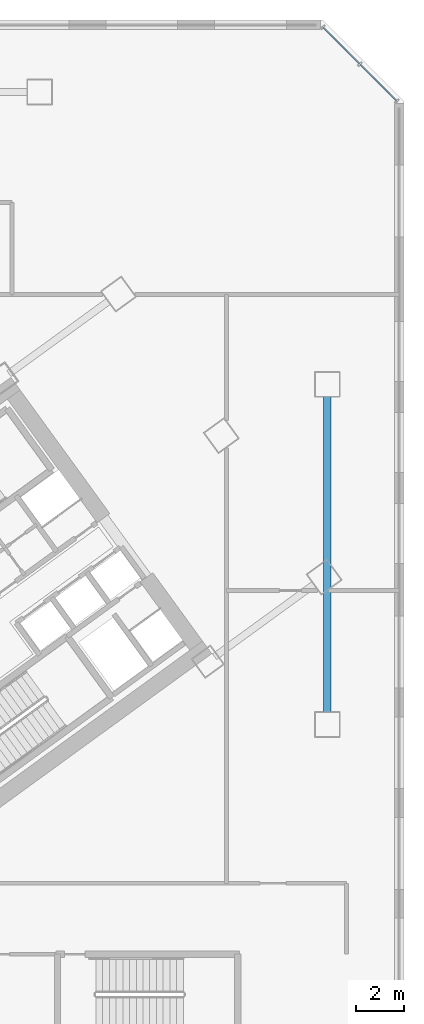
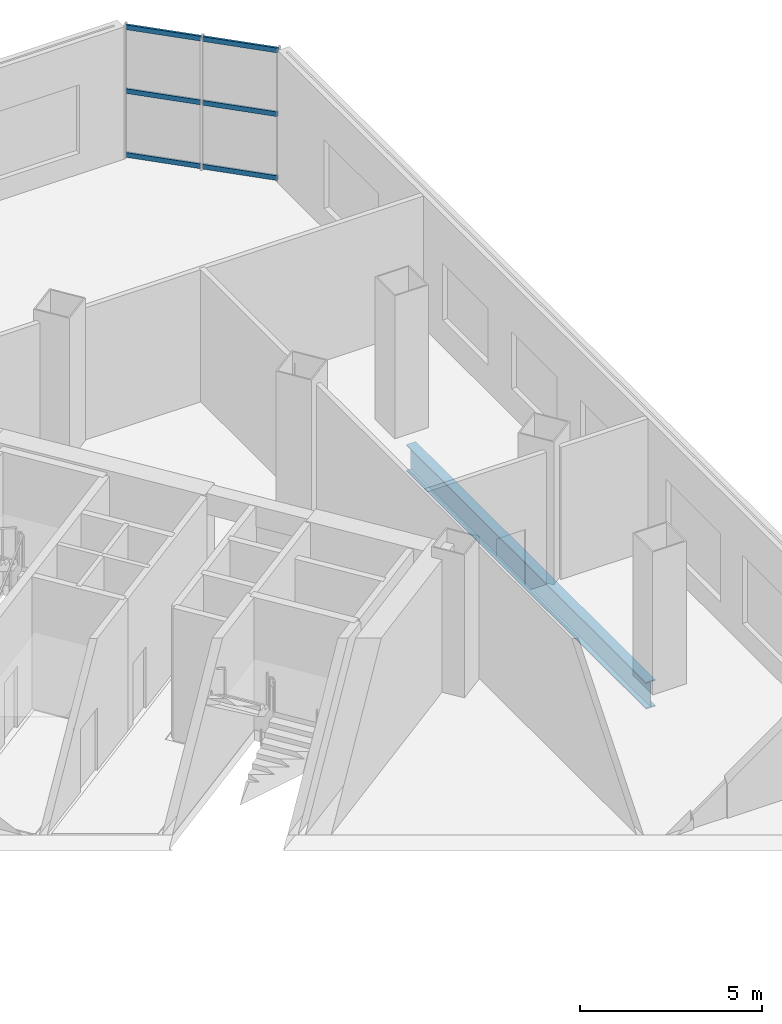
# One storey, part 7 of 22: 6 members, 1 beam, 1 element without a shape of its own.
"""IFC4 building model written with IfcOpenShell, lengths in metres."""

import ifcopenshell
import ifcopenshell.guid

model = None  # the IFC model being written
_history = None  # IfcOwnerHistory: only IFC2X3 demands one
_inside = {}  # id of a spatial element -> (the spatial element, [elements in it])
_under = {}  # id of a project, library or spatial element -> (it, [spatial elements below it])
_declared = {}  # id of a project -> (the project, [libraries it declares])
_typed = {}  # id of a type object -> (the type object, [elements of that type])
_made_of = {}  # id of a material, layer set ... -> (it, [elements and type objects made of it])


def new_model(schema):
    """Start an empty IFC model of exactly this schema.

    Asked for "IFC4X3", IfcOpenShell would pick the latest addendum, in which some entities
    have other attributes; the version numbers below select the first issue.
    IFC2X3 requires an IfcOwnerHistory on every rooted entity: one is made here for all.
    """
    global model, _history
    if schema == "IFC4X3":
        model = ifcopenshell.file(schema_version=(4, 3, 0, 0))
    else:
        model = ifcopenshell.file(schema=schema)
    _inside.clear()
    _under.clear()
    _declared.clear()
    _typed.clear()
    _made_of.clear()
    _history = None
    if model.schema == "IFC2X3":
        org = make("IfcOrganization", Name="unknown")
        user = make(
            "IfcPersonAndOrganization",
            ThePerson=make("IfcPerson", FamilyName="unknown"),
            TheOrganization=org,
        )
        app = make(
            "IfcApplication",
            ApplicationDeveloper=org,
            Version="unknown",
            ApplicationFullName="unknown",
            ApplicationIdentifier="unknown",
        )
        _history = make(
            "IfcOwnerHistory",
            OwningUser=user,
            OwningApplication=app,
            ChangeAction="ADDED",
            CreationDate=0,
        )
    return model


def make(cls, **values):
    """One entity of the class cls with the attributes given. An attribute that is None is left unset."""
    return model.create_entity(
        cls, **{name: value for name, value in values.items() if value is not None}
    )


def rooted(cls, **values):
    """An entity with a GlobalId (a new one), such as an element, a storey or a relation."""
    return make(cls, GlobalId=ifcopenshell.guid.new(), OwnerHistory=_history, **values)


def si_unit(unit_type, name, prefix=None):
    """IfcSIUnit, for example si_unit("LENGTHUNIT", "METRE", prefix="MILLI")."""
    return make("IfcSIUnit", UnitType=unit_type, Prefix=prefix, Name=name)


def assignment(units):
    """IfcUnitAssignment: the units of a project."""
    return None if units is None else make("IfcUnitAssignment", Units=units)


def point(xyz):
    """IfcCartesianPoint."""
    return None if xyz is None else make("IfcCartesianPoint", Coordinates=xyz)


def direction(xyz):
    """IfcDirection."""
    return None if xyz is None else make("IfcDirection", DirectionRatios=xyz)


def frame(location, z_axis=None, x_axis=None):
    """IfcAxis2Placement3D, a coordinate frame: its origin and axes. An axis left out is left unset."""
    return make(
        "IfcAxis2Placement3D",
        Location=point(location),
        Axis=direction(z_axis),
        RefDirection=direction(x_axis),
    )


def frame_2d(location, x_axis=None):
    """IfcAxis2Placement2D, a coordinate frame in the plane: its origin and x axis."""
    return make(
        "IfcAxis2Placement2D", Location=point(location), RefDirection=direction(x_axis)
    )


def origin():
    """The frame at (0, 0, 0) with its axes left unset."""
    return frame((0.0, 0.0, 0.0))


def origin_2d():
    """The frame at (0, 0) in the plane with its x axis left unset."""
    return frame_2d((0.0, 0.0))


def place(relative_to, where):
    """IfcLocalPlacement: puts the frame where relative to a parent placement (None: the world)."""
    return make(
        "IfcLocalPlacement", PlacementRelTo=relative_to, RelativePlacement=where
    )


def context(
    kind, dimensions, precision=None, world=None, true_north=None, identifier=None
):
    """IfcGeometricRepresentationContext, for example the 3D "Model" context."""
    return make(
        "IfcGeometricRepresentationContext",
        ContextIdentifier=identifier,
        ContextType=kind,
        CoordinateSpaceDimension=dimensions,
        Precision=precision,
        WorldCoordinateSystem=world,
        TrueNorth=true_north,
    )


def subcontext(parent, identifier, kind, view, scale=None):
    """IfcGeometricRepresentationSubContext, for example "Body" below "Model"."""
    return make(
        "IfcGeometricRepresentationSubContext",
        ContextIdentifier=identifier,
        ContextType=kind,
        ParentContext=parent,
        TargetScale=scale,
        TargetView=view,
    )


def project(units=None, contexts=None):
    """IfcProject with its units and contexts."""
    return rooted(
        "IfcProject",
        Name="project",
        RepresentationContexts=contexts,
        UnitsInContext=assignment(units),
    )


def spatial(cls, under=None, at=None, **own):
    """A site, building, storey or space (cls), placed at a placement, below another one or the project."""
    s = rooted(cls, ObjectPlacement=at, **own)
    if under is not None:
        _under.setdefault(under.id(), (under, []))[1].append(s)
    return s


def profile(cls, at=None, kind="AREA", **sizes):
    """A parametric profile (cls). Its sizes go by their IFC names, for example OverallWidth=200.0."""
    return make(cls, ProfileType=kind, Position=at, **sizes)


def hollow_rectangle(**sizes):
    """IfcRectangleHollowProfileDef."""
    return profile("IfcRectangleHollowProfileDef", **sizes)


def i_section(**sizes):
    """IfcIShapeProfileDef."""
    return profile("IfcIShapeProfileDef", **sizes)


def extrude(swept, where, along, depth):
    """IfcExtrudedAreaSolid: the profile swept, set in the frame where, extruded along a direction by depth."""
    return make(
        "IfcExtrudedAreaSolid",
        SweptArea=swept,
        Position=where,
        ExtrudedDirection=direction(along),
        Depth=depth,
    )


def shape(context_of_items, identifier, shape_type, items):
    """IfcShapeRepresentation: the items that make up one representation, for example the "Body"."""
    return make(
        "IfcShapeRepresentation",
        ContextOfItems=context_of_items,
        RepresentationIdentifier=identifier,
        RepresentationType=shape_type,
        Items=items,
    )


def source(mapping_origin, context_of_items, identifier, shape_type, items):
    """IfcRepresentationMap: a shape defined once, which mapped items show again and again."""
    return make(
        "IfcRepresentationMap",
        MappingOrigin=mapping_origin,
        MappedRepresentation=shape(context_of_items, identifier, shape_type, items),
    )


def transform(
    local_origin,
    x_axis=None,
    y_axis=None,
    z_axis=None,
    scale=None,
    scale2=None,
    scale3=None,
    uniform=True,
):
    """IfcCartesianTransformationOperator3D, or its non-uniform kind. x_axis, y_axis, z_axis: its Axis1, 2, 3."""
    if uniform:
        return make(
            "IfcCartesianTransformationOperator3D",
            Axis1=direction(x_axis),
            Axis2=direction(y_axis),
            LocalOrigin=point(local_origin),
            Scale=scale,
            Axis3=direction(z_axis),
        )
    return make(
        "IfcCartesianTransformationOperator3DnonUniform",
        Axis1=direction(x_axis),
        Axis2=direction(y_axis),
        LocalOrigin=point(local_origin),
        Scale=scale,
        Axis3=direction(z_axis),
        Scale2=scale2,
        Scale3=scale3,
    )


def mapped(mapping_source, mapping_target):
    """IfcMappedItem: shows the shape of a source again, moved by a transform."""
    return make(
        "IfcMappedItem", MappingSource=mapping_source, MappingTarget=mapping_target
    )


def material(Name=None, Category=None):
    """IfcMaterial."""
    return make("IfcMaterial", Name=Name, Category=Category)


def material_profile(
    of_material, cross_section, Name=None, Category=None, Priority=None
):
    """IfcMaterialProfile: a cross section and its material."""
    return make(
        "IfcMaterialProfile",
        Name=Name,
        Material=of_material,
        Profile=cross_section,
        Priority=Priority,
        Category=Category,
    )


def profile_set(profiles, Name=None, composite=None):
    """IfcMaterialProfileSet."""
    return make(
        "IfcMaterialProfileSet",
        Name=Name,
        MaterialProfiles=profiles,
        CompositeProfile=composite,
    )


def made_of(thing, what):
    """Note that an element or type object is made of a material, layer set ...; save() writes the relation."""
    if what is not None:
        _made_of.setdefault(what.id(), (what, []))[1].append(thing)
    return thing


def type_object(cls, material=None, **own):
    """A type object (cls), such as IfcWallType, which elements share."""
    return made_of(rooted(cls, **own), material)


def element(
    cls,
    number,
    at=None,
    inside=None,
    cuts=None,
    type_object=None,
    material=None,
    context=None,
    identifier="Body",
    shape_type=None,
    held_by="IfcProductDefinitionShape",
    body=None,
    shapes=None,
    **own,
):
    """One element of the class cls, such as IfcWall. Its Tag is "e" and its number.

    at: its placement. inside: the storey or other place that contains it. cuts: it is an
    opening in that element (IfcRelVoidsElement). A single representation is given by context,
    identifier, shape_type and body (its items); several are given by shapes. held_by: the class
    of the entity that holds the representations. save() writes the other relations.
    """
    e = rooted(cls, Tag="e%d" % number, ObjectPlacement=at, **own)
    if body is not None:
        shapes = [shape(context, identifier, shape_type, body)]
    if shapes is not None:
        e.Representation = make(held_by, Representations=shapes)
    if inside is not None:
        _inside.setdefault(inside.id(), (inside, []))[1].append(e)
    if cuts is not None:
        rooted(
            "IfcRelVoidsElement", RelatingBuildingElement=cuts, RelatedOpeningElement=e
        )
    if type_object is not None:
        _typed.setdefault(type_object.id(), (type_object, []))[1].append(e)
    return made_of(e, material)


def aggregate(whole, parts):
    """IfcRelAggregates: a whole, such as a stair, and the parts it consists of."""
    return rooted("IfcRelAggregates", RelatingObject=whole, RelatedObjects=parts)


def save(model, path):
    """Write the relations noted so far, then the file.

    IfcRelAggregates (storeys below a building ...), IfcRelContainedInSpatialStructure (elements
    in a storey), IfcRelDefinesByType, IfcRelAssociatesMaterial and IfcRelDeclares: one each for
    every whole, place, type object, material and project.
    """
    for whole, parts in _under.values():
        aggregate(whole, parts)
    for where, things in _inside.values():
        rooted(
            "IfcRelContainedInSpatialStructure",
            RelatedElements=things,
            RelatingStructure=where,
        )
    for kind, things in _typed.values():
        rooted("IfcRelDefinesByType", RelatedObjects=things, RelatingType=kind)
    for what, things in _made_of.values():
        rooted("IfcRelAssociatesMaterial", RelatedObjects=things, RelatingMaterial=what)
    for by, libraries in _declared.values():
        rooted("IfcRelDeclares", RelatingContext=by, RelatedDefinitions=libraries)
    model.write(path)


model = new_model("IFC4")

# Units and contexts
model_context = context("Model", 3, precision=1e-05, world=origin(), true_north=direction((0.0, 1.0)))
body_context = subcontext(model_context, "Body", "Model", "MODEL_VIEW")
ifc_project = project(units=[si_unit("LENGTHUNIT", "METRE"), si_unit("AREAUNIT", "SQUARE_METRE"), si_unit("VOLUMEUNIT", "CUBIC_METRE"), si_unit("PLANEANGLEUNIT", "RADIAN"), si_unit("MASSUNIT", "GRAM", prefix="KILO")], contexts=[model_context])

# Site, building, storey
site_placement = place(None, origin())
site = spatial("IfcSite", under=ifc_project, at=site_placement, CompositionType="ELEMENT")
building_placement = place(site_placement, origin())
building = spatial("IfcBuilding", under=site, at=building_placement, Name="Tlacorven Tower", CompositionType="ELEMENT")
storey_placement = place(building_placement, frame((0.0, 0.0, 5.39990234375)))
storey = spatial("IfcBuildingStorey", under=building, at=storey_placement, Name="L01", CompositionType="ELEMENT", Elevation=5.39990234375)

# Beam
ifc_material_1 = material(Name="Steel S460M", Category="steel")
ifc_material_profile_1 = material_profile(ifc_material_1, i_section(OverallWidth=0.300048828125, OverallDepth=0.89990234375, WebThickness=0.0185546875, FlangeThickness=0.034912109375, at=origin_2d()), Name="HEB 900")
ifc_profile_set_1 = profile_set([ifc_material_profile_1], Name="Steel S460M")
beam_type = type_object("IfcBeamType", Name="BM-POD-900", PredefinedType="BEAM", material=ifc_profile_set_1)
shared_shape_1 = source(origin(), body_context, "Body", "SweptSolid", [
    extrude(i_section(OverallWidth=0.300048828125, OverallDepth=0.89990234375, WebThickness=0.0185546875, FlangeThickness=0.034912109375, at=origin_2d()), origin(), (0.0, 0.0, 1.0), 13.199951171875),
])
beam_placement = place(storey_placement, frame((67.39990234375, 17.699951171875, -0.7998046875), z_axis=(0.0, 1.0, 0.0), x_axis=(-1.0, 0.0, 0.0)))
element("IfcBeam", 1, at=beam_placement, inside=storey, type_object=beam_type, Name="L01 beam BM-L01-GY6-1", PredefinedType="BEAM", context=body_context, shape_type="MappedRepresentation", body=[
    mapped(shared_shape_1, transform((0.0, 0.0, 0.0), scale=1.0)),
])

# Curtain wall, members
ifc_material_2 = material(Name="Dark solar low-E double glazing in aluminium frame", Category="aluminium")
curtain_wall_type = type_object("IfcCurtainWallType", Name="CW-STN-CONCOURSE", PredefinedType="USERDEFINED", material=ifc_material_2)
curtain_wall_placement = place(storey_placement, origin())
curtain_wall = element("IfcCurtainWall", 2, at=curtain_wall_placement, inside=storey, type_object=curtain_wall_type, Name="L01 Podium Chamfer Curtain Wall 5", ObjectType="UNITISED CURTAIN WALL", PredefinedType="USERDEFINED")
ifc_material_3 = material(Name="Aluminium 6063-T6 anodised", Category="aluminium")
ifc_material_profile_2 = material_profile(ifc_material_3, hollow_rectangle(XDim=0.06494140625, YDim=0.159912109375, WallThickness=0.00390625, at=origin_2d()), Name="ALU TRANSOM 65X160")
ifc_profile_set_2 = profile_set([ifc_material_profile_2], Name="Aluminium 6063-T6 anodised")
member_type = type_object("IfcMemberType", Name="CWT-01", PredefinedType="USERDEFINED", material=ifc_profile_set_2)
shared_shape_2 = source(origin(), body_context, "Body", "SweptSolid", [
    extrude(hollow_rectangle(XDim=0.06494140625, YDim=0.159912109375, WallThickness=0.00390625, at=origin_2d()), origin(), (0.0, 0.0, 1.0), 2.140380859375),
])
member_1_placement = place(storey_placement, frame((67.228759765625, 46.288330078125, 0.080078125), z_axis=(0.707163808226, -0.707049749547, 0.0), x_axis=(0.707049749547, 0.707163808226, 0.0)))
member_1 = element("IfcMember", 3, at=member_1_placement, type_object=member_type, Name="CW-L01-007 Transom 1", ObjectType="TRANSOM", PredefinedType="USERDEFINED", context=body_context, shape_type="MappedRepresentation", body=[
    mapped(shared_shape_2, transform((0.0, 0.0, 0.0), scale=1.0)),
])
member_2_placement = place(storey_placement, frame((67.228759765625, 46.288330078125, 2.22509765625), z_axis=(0.707163808226, -0.707049749547, 0.0), x_axis=(0.707049749547, 0.707163808226, 0.0)))
member_2 = element("IfcMember", 4, at=member_2_placement, type_object=member_type, Name="CW-L01-007 Transom 2", ObjectType="TRANSOM", PredefinedType="USERDEFINED", context=body_context, shape_type="MappedRepresentation", body=[
    mapped(shared_shape_2, transform((0.0, 0.0, 0.0), scale=1.0)),
])
member_3_placement = place(storey_placement, frame((67.228759765625, 46.288330078125, 4.3701171875), z_axis=(0.707163808226, -0.707049749547, 0.0), x_axis=(0.707049749547, 0.707163808226, 0.0)))
member_3 = element("IfcMember", 5, at=member_3_placement, type_object=member_type, Name="CW-L01-007 Transom 3", ObjectType="TRANSOM", PredefinedType="USERDEFINED", context=body_context, shape_type="MappedRepresentation", body=[
    mapped(shared_shape_2, transform((0.0, 0.0, 0.0), scale=1.0)),
])
member_4_placement = place(storey_placement, frame((68.77490234375, 44.742431640625, 0.080078125), z_axis=(0.707049749547, -0.707163808226, 0.0), x_axis=(0.707163808226, 0.707049749547, 0.0)))
member_4 = element("IfcMember", 6, at=member_4_placement, type_object=member_type, Name="CW-L01-007 Transom 4", ObjectType="TRANSOM", PredefinedType="USERDEFINED", context=body_context, shape_type="MappedRepresentation", body=[
    mapped(shared_shape_2, transform((0.0, 0.0, 0.0), scale=1.0)),
])
member_5_placement = place(storey_placement, frame((68.77490234375, 44.742431640625, 2.22509765625), z_axis=(0.707049749547, -0.707163808226, 0.0), x_axis=(0.707163808226, 0.707049749547, 0.0)))
member_5 = element("IfcMember", 7, at=member_5_placement, type_object=member_type, Name="CW-L01-007 Transom 5", ObjectType="TRANSOM", PredefinedType="USERDEFINED", context=body_context, shape_type="MappedRepresentation", body=[
    mapped(shared_shape_2, transform((0.0, 0.0, 0.0), scale=1.0)),
])
member_6_placement = place(storey_placement, frame((68.77490234375, 44.742431640625, 4.3701171875), z_axis=(0.707049749547, -0.707163808226, 0.0), x_axis=(0.707163808226, 0.707049749547, 0.0)))
member_6 = element("IfcMember", 8, at=member_6_placement, type_object=member_type, Name="CW-L01-007 Transom 6", ObjectType="TRANSOM", PredefinedType="USERDEFINED", context=body_context, shape_type="MappedRepresentation", body=[
    mapped(shared_shape_2, transform((0.0, 0.0, 0.0), scale=1.0)),
])
aggregate(curtain_wall, [member_1, member_2, member_3, member_4, member_5, member_6])

save(model, "model.ifc")
